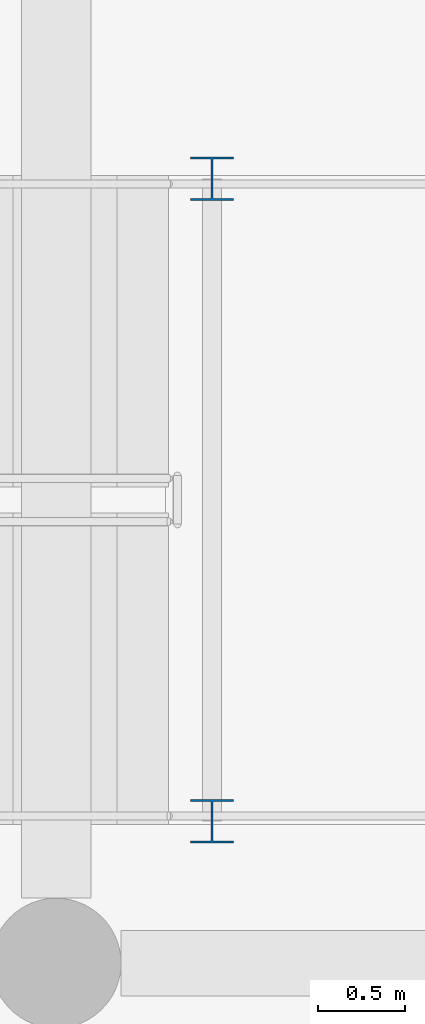
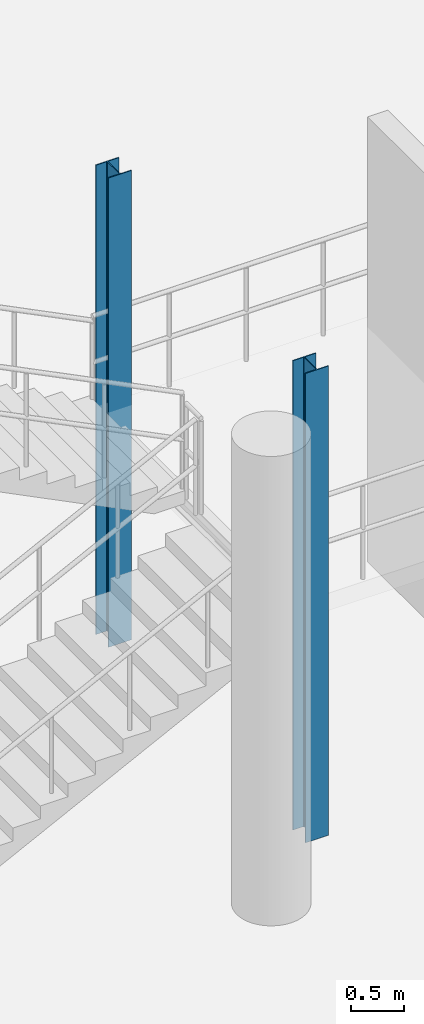
# One storey, part 3 of 110: 2 columns.
"""IFC4 building model written with IfcOpenShell, lengths in metres."""

from ifc_helpers import new_model, si_unit, direction, frame, origin, origin_2d, place, context, subcontext, project, spatial, i_section, extrude, material, material_profile, profile_set, type_object, element, save


model = new_model("IFC4")

# Units and contexts
model_context = context("Model", 3, precision=1e-05, world=origin(), true_north=direction((0.0, 1.0)))
body_context = subcontext(model_context, "Body", "Model", "MODEL_VIEW")
ifc_project = project(units=[si_unit("LENGTHUNIT", "METRE"), si_unit("AREAUNIT", "SQUARE_METRE"), si_unit("VOLUMEUNIT", "CUBIC_METRE"), si_unit("PLANEANGLEUNIT", "RADIAN"), si_unit("MASSUNIT", "GRAM", prefix="KILO")], contexts=[model_context])

# Site, building, storey
site_placement = place(None, origin())
site = spatial("IfcSite", under=ifc_project, at=site_placement, CompositionType="ELEMENT")
building_placement = place(site_placement, origin())
building = spatial("IfcBuilding", under=site, at=building_placement, Name="Kalluvel Institute of Natural Sciences", CompositionType="ELEMENT")
storey_placement = place(building_placement, origin())
storey = spatial("IfcBuildingStorey", under=building, at=storey_placement, Name="L00", CompositionType="ELEMENT", Elevation=0.0)

# Columns
ifc_material = material(Name="Steel E350 Grade 350", Category="steel")
ifc_material_profile = material_profile(ifc_material, i_section(OverallWidth=0.25, OverallDepth=0.25, WebThickness=0.0087890625, FlangeThickness=0.009765625, FilletRadius=0.010009765625, at=origin_2d()), Name="ISHB 250")
ifc_profile_set = profile_set([ifc_material_profile], Name="Steel E350 Grade 350")
column_type = type_object("IfcColumnType", Name="COL-ISHB250", PredefinedType="COLUMN", material=ifc_profile_set)
for number, where, z_axis, x_axis, name in (
    (1, (65.300048828125, 72.419921875, 0.0), (0.0, 0.0, 1.0), (1.0, 0.0, 0.0), "L00 Atrium feature stair landing post S"),
    (2, (65.300048828125, 76.1298828125, 0.0), (0.0, 0.0, 1.0), (1.0, 0.0, 0.0), "L00 Atrium feature stair landing post N"),
):
    element("IfcColumn", number, at=place(storey_placement, frame(where, z_axis=z_axis, x_axis=x_axis)), inside=storey, type_object=column_type, Name=name, PredefinedType="COLUMN", context=body_context, shape_type="SweptSolid", body=[
        extrude(i_section(OverallWidth=0.25, OverallDepth=0.25, WebThickness=0.0087890625, FlangeThickness=0.009765625, FilletRadius=0.010009765625, at=origin_2d()), origin(), (0.0, 0.0, 1.0), 5.39990234375),
    ])

save(model, "model.ifc")
